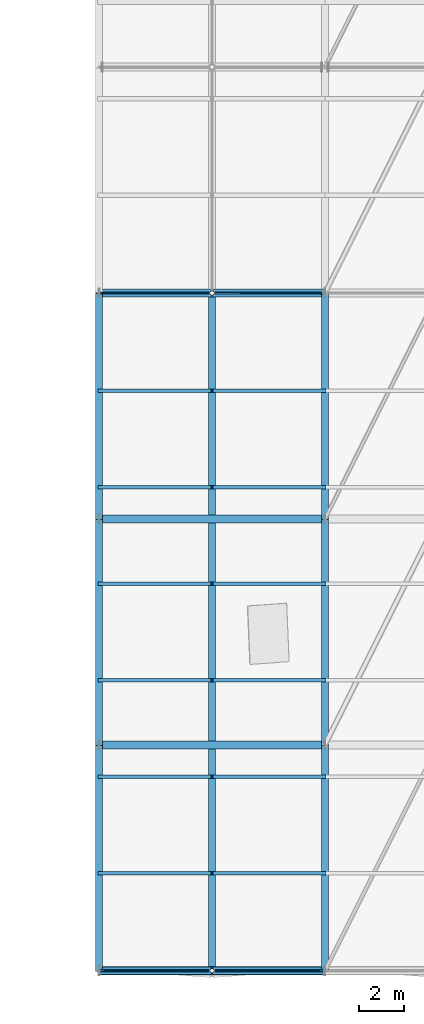
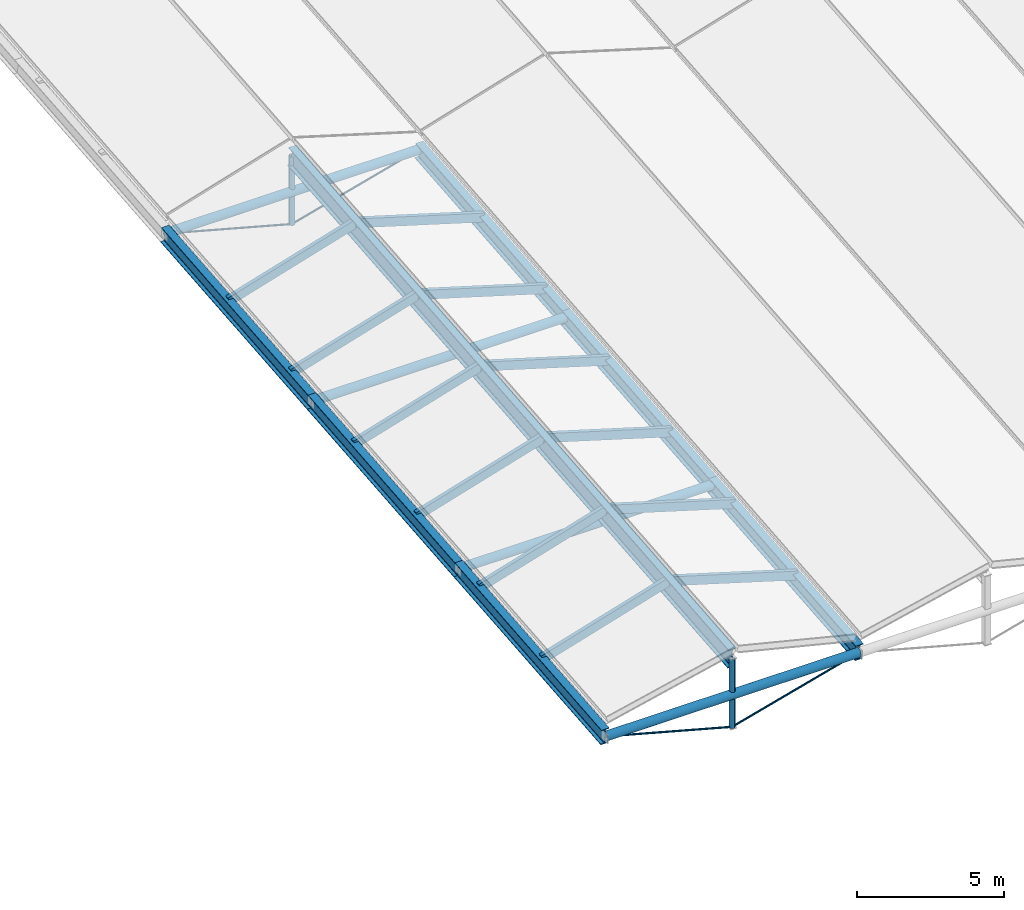
# One storey, part 6 of 90: 18 members, 11 beams.
"""IFC4 building model written with IfcOpenShell, lengths in metres."""

from ifc_helpers import new_model, si_unit, direction, frame, origin, origin_2d, place, context, subcontext, project, spatial, rectangle, circle, hollow_circle, i_section, extrude, material, material_profile, profile_set, type_object, element, save


model = new_model("IFC4")

# Units and contexts
model_context = context("Model", 3, precision=1e-05, world=origin(), true_north=direction((0.0, 1.0)))
body_context = subcontext(model_context, "Body", "Model", "MODEL_VIEW")
ifc_project = project(units=[si_unit("LENGTHUNIT", "METRE"), si_unit("AREAUNIT", "SQUARE_METRE"), si_unit("VOLUMEUNIT", "CUBIC_METRE"), si_unit("PLANEANGLEUNIT", "RADIAN"), si_unit("MASSUNIT", "GRAM", prefix="KILO"), si_unit("THERMODYNAMICTEMPERATUREUNIT", "KELVIN"), si_unit("POWERUNIT", "WATT")], contexts=[model_context])

# Site, building, storey
site_placement = place(None, origin())
site = spatial("IfcSite", under=ifc_project, at=site_placement, CompositionType="ELEMENT")
building_placement = place(site_placement, origin())
building = spatial("IfcBuilding", under=site, at=building_placement, Name="Korenveer Ferry Terminal", CompositionType="ELEMENT")
storey_placement = place(building_placement, frame((0.0, 0.0, 22.199951171875)))
storey = spatial("IfcBuildingStorey", under=building, at=storey_placement, Name="RF", CompositionType="ELEMENT", Elevation=22.199951171875)

# Beams
ifc_material_1 = material(Name="Steel S355", Category="steel")
ifc_material_profile_1 = material_profile(ifc_material_1, i_section(OverallWidth=0.300048828125, OverallDepth=0.64990234375, WebThickness=0.01611328125, FlangeThickness=0.031005859375, FilletRadius=0.027099609375, at=origin_2d()), Name="HEB 650")
ifc_profile_set_1 = profile_set([ifc_material_profile_1], Name="Steel S355")
beam_type_1 = type_object("IfcBeamType", Name="STR-BM-HEB650", PredefinedType="BEAM", material=ifc_profile_set_1)
for number, where, z_axis, x_axis, name in (
    (1, (53.0, 20.0, -11.401611328125), (0.0, 0.995903364261, 0.090423940715), (-1.0, 0.0, 0.0), "Folded roof valley girder 15"),
    (2, (53.0, 30.0, -10.49365234375), (0.0, 0.995903364261, 0.090423940715), (-1.0, 0.0, 0.0), "Folded roof valley girder 16"),
    (3, (53.0, 40.0, -9.585693359375), (0.0, 0.995903364261, 0.090423940715), (-1.0, 0.0, 0.0), "Folded roof valley girder 17"),
    (4, (63.0, 20.0, -11.401611328125), (0.0, 0.995903364261, 0.090423940715), (-1.0, 0.0, 0.0), "Folded roof valley girder 23"),
    (5, (63.0, 30.0, -10.49365234375), (0.0, 0.995903364261, 0.090423940715), (-1.0, 0.0, 0.0), "Folded roof valley girder 24"),
    (6, (63.0, 40.0, -9.585693359375), (0.0, 0.995903364261, 0.090423940715), (-1.0, 0.0, 0.0), "Folded roof valley girder 25"),
):
    element("IfcBeam", number, at=place(storey_placement, frame(where, z_axis=z_axis, x_axis=x_axis)), inside=storey, type_object=beam_type_1, Name=name, PredefinedType="BEAM", context=body_context, shape_type="SweptSolid", body=[
        extrude(i_section(OverallWidth=0.300048828125, OverallDepth=0.64990234375, WebThickness=0.01611328125, FlangeThickness=0.031005859375, FilletRadius=0.027099609375, at=origin_2d()), origin(), (0.0, 0.0, 1.0), 10.041015625),
    ])
ifc_material_profile_2 = material_profile(ifc_material_1, i_section(OverallWidth=0.300048828125, OverallDepth=0.800048828125, WebThickness=0.017578125, FlangeThickness=0.032958984375, FilletRadius=0.030029296875, at=origin_2d()), Name="HEB 800")
ifc_profile_set_2 = profile_set([ifc_material_profile_2], Name="Steel S355")
beam_type_2 = type_object("IfcBeamType", Name="STR-BM-HEB800", PredefinedType="BEAM", material=ifc_profile_set_2)
beam_placement = place(storey_placement, frame((58.0, 20.0, -9.891845703125), z_axis=(0.0, 0.995903364261, 0.090423940715), x_axis=(-1.0, 0.0, 0.0)))
element("IfcBeam", 7, at=beam_placement, inside=storey, type_object=beam_type_2, Name="Folded roof ridge girder 1", PredefinedType="BEAM", context=body_context, shape_type="SweptSolid", body=[
    extrude(i_section(OverallWidth=0.300048828125, OverallDepth=0.800048828125, WebThickness=0.017578125, FlangeThickness=0.032958984375, FilletRadius=0.030029296875, at=origin_2d()), origin(), (0.0, 0.0, 1.0), 30.123291015625),
])

# Members
ifc_material_2 = material(Name="High-strength steel S460", Category="steel")
ifc_material_profile_3 = material_profile(ifc_material_2, circle(Radius=0.0380859375, at=origin_2d()), Name="ROD D76")
ifc_profile_set_3 = profile_set([ifc_material_profile_3], Name="High-strength steel S460")
member_type_1 = type_object("IfcMemberType", Name="STR-CBL-D76", PredefinedType="USERDEFINED", material=ifc_profile_set_3)
for number, where, z_axis, x_axis, name in (
    (8, (53.0, 20.0, -11.401611328125), (0.965424337217, 0.0, -0.260683426993), (0.0, 1.0, 0.0), "Roof tension tie cable 1"),
    (9, (63.0, 20.0, -11.401611328125), (-0.965424337217, 0.0, -0.260683426993), (0.0, -1.0, 0.0), "Roof tension tie cable 2"),
    (10, (53.0, 50.0, -8.677734375), (0.965436200058, 0.0, -0.260639489752), (0.0, 1.0, 0.0), "Roof tension tie cable 15"),
    (11, (63.0, 50.0, -8.677734375), (-0.965436200058, 0.0, -0.260639489752), (0.0, -1.0, 0.0), "Roof tension tie cable 16"),
):
    element("IfcMember", number, at=place(storey_placement, frame(where, z_axis=z_axis, x_axis=x_axis)), inside=storey, type_object=member_type_1, Name=name, ObjectType="CABLE", PredefinedType="USERDEFINED", context=body_context, shape_type="SweptSolid", body=[
        extrude(circle(Radius=0.0380859375, at=origin_2d()), origin(), (0.0, 0.0, 1.0), 5.178955078125),
    ])
ifc_material_3 = material(Name="Glulam GL28h", Category="wood")
ifc_material_profile_4 = material_profile(ifc_material_3, rectangle(XDim=0.159912109375, YDim=0.360107421875, at=origin_2d()), Name="GL 160x360")
ifc_profile_set_4 = profile_set([ifc_material_profile_4], Name="Glulam GL28h")
member_type_2 = type_object("IfcMemberType", Name="STR-PUR-GL160", PredefinedType="PURLIN", material=ifc_profile_set_4)
for number, where, z_axis, x_axis, name in (
    (12, (53.0, 24.321533203125, -10.787841796875), (0.957323074362, 0.0, 0.289019949647), (0.0, 1.0, 0.0), "Folded roof glulam purlin 1"),
    (13, (53.0, 28.5927734375, -10.400146484375), (0.957310140112, 0.0, 0.289062788401), (0.0, 1.0, 0.0), "Folded roof glulam purlin 2"),
    (14, (53.0, 32.8642578125, -10.01220703125), (0.957310140112, 0.0, 0.289062788401), (0.0, 1.0, 0.0), "Folded roof glulam purlin 3"),
    (15, (53.0, 37.1357421875, -9.62451171875), (0.957310140112, 0.0, 0.289062788401), (0.0, 1.0, 0.0), "Folded roof glulam purlin 4"),
    (16, (53.0, 41.4072265625, -9.236572265625), (0.957310140112, 0.0, 0.289062788401), (0.0, 1.0, 0.0), "Folded roof glulam purlin 5"),
    (17, (53.0, 45.678466796875, -8.8486328125), (0.957323074362, 0.0, 0.289019949647), (0.0, 1.0, 0.0), "Folded roof glulam purlin 6"),
    (18, (58.0, 24.321533203125, -9.2783203125), (0.957323074362, 0.0, -0.289019949647), (0.0, 1.0, 0.0), "Folded roof glulam purlin 7"),
    (19, (58.0, 28.5927734375, -8.890380859375), (0.957310140112, 0.0, -0.289062788401), (0.0, 1.0, 0.0), "Folded roof glulam purlin 8"),
    (20, (58.0, 32.8642578125, -8.50244140625), (0.957310140112, 0.0, -0.289062788401), (0.0, 1.0, 0.0), "Folded roof glulam purlin 9"),
    (21, (58.0, 37.1357421875, -8.11474609375), (0.957310140112, 0.0, -0.289062788401), (0.0, 1.0, 0.0), "Folded roof glulam purlin 10"),
    (22, (58.0, 41.4072265625, -7.726806640625), (0.957310140112, 0.0, -0.289062788401), (0.0, 1.0, 0.0), "Folded roof glulam purlin 11"),
    (23, (58.0, 45.678466796875, -7.339111328125), (0.957323074362, 0.0, -0.289019949647), (0.0, 1.0, 0.0), "Folded roof glulam purlin 12"),
):
    element("IfcMember", number, at=place(storey_placement, frame(where, z_axis=z_axis, x_axis=x_axis)), inside=storey, type_object=member_type_2, Name=name, PredefinedType="PURLIN", context=body_context, shape_type="SweptSolid", body=[
        extrude(rectangle(XDim=0.159912109375, YDim=0.360107421875, at=origin_2d()), origin(), (0.0, 0.0, 1.0), 5.222900390625),
    ])

# Beams
ifc_material_profile_5 = material_profile(ifc_material_1, hollow_circle(Radius=0.177734375, WallThickness=0.01611328125, at=origin_2d()), Name="CHS 355.6x16")
ifc_profile_set_5 = profile_set([ifc_material_profile_5], Name="Steel S355")
beam_type_3 = type_object("IfcBeamType", Name="STR-RFG-CHS355", PredefinedType="USERDEFINED", material=ifc_profile_set_5)
for number, where, z_axis, x_axis, name in (
    (24, (53.02001953125, 20.0, -11.401611328125), (1.0, 0.0, 0.0), (0.0, 1.0, 0.0), "Roof transverse tie girder 75"),
    (25, (53.02001953125, 30.0, -10.49365234375), (1.0, 0.0, 0.0), (0.0, 1.0, 0.0), "Roof transverse tie girder 82"),
    (26, (53.02001953125, 40.0, -9.585693359375), (1.0, 0.0, 0.0), (0.0, 1.0, 0.0), "Roof transverse tie girder 89"),
    (27, (53.02001953125, 50.0, -8.677734375), (1.0, 0.0, 0.0), (0.0, 1.0, 0.0), "Roof transverse tie girder 96"),
):
    element("IfcBeam", number, at=place(storey_placement, frame(where, z_axis=z_axis, x_axis=x_axis)), inside=storey, type_object=beam_type_3, Name=name, ObjectType="ROOF GIRDER", PredefinedType="USERDEFINED", context=body_context, shape_type="SweptSolid", body=[
        extrude(hollow_circle(Radius=0.177734375, WallThickness=0.01611328125, at=origin_2d()), origin(), (0.0, 0.0, 1.0), 9.9599609375),
    ])

# Members
ifc_material_profile_6 = material_profile(ifc_material_1, hollow_circle(Radius=0.109619140625, WallThickness=0.012451171875, at=origin_2d()), Name="CHS 219.1x12.5")
ifc_profile_set_6 = profile_set([ifc_material_profile_6], Name="Steel S355")
member_type_3 = type_object("IfcMemberType", Name="STR-STT-CHS219", PredefinedType="STRUT", material=ifc_profile_set_6)
member_1_placement = place(storey_placement, frame((58.0, 20.0, -12.751708984375), z_axis=(0.0, 0.0, 1.0), x_axis=(1.0, 0.0, 0.0)))
element("IfcMember", 28, at=member_1_placement, inside=storey, type_object=member_type_3, Name="Roof king-post strut STTKP-Y20-B0", PredefinedType="STRUT", context=body_context, shape_type="SweptSolid", body=[
    extrude(hollow_circle(Radius=0.109619140625, WallThickness=0.012451171875, at=origin_2d()), origin(), (0.0, 0.0, 1.0), 2.85986328125),
])
member_2_placement = place(storey_placement, frame((58.0, 50.0, -10.027587890625), z_axis=(0.0, 0.0, 1.0), x_axis=(1.0, 0.0, 0.0)))
element("IfcMember", 29, at=member_2_placement, inside=storey, type_object=member_type_3, Name="Roof king-post strut STTKP-Y50-B0", PredefinedType="STRUT", context=body_context, shape_type="SweptSolid", body=[
    extrude(hollow_circle(Radius=0.109619140625, WallThickness=0.012451171875, at=origin_2d()), origin(), (0.0, 0.0, 1.0), 2.859619140625),
])

save(model, "model.ifc")
